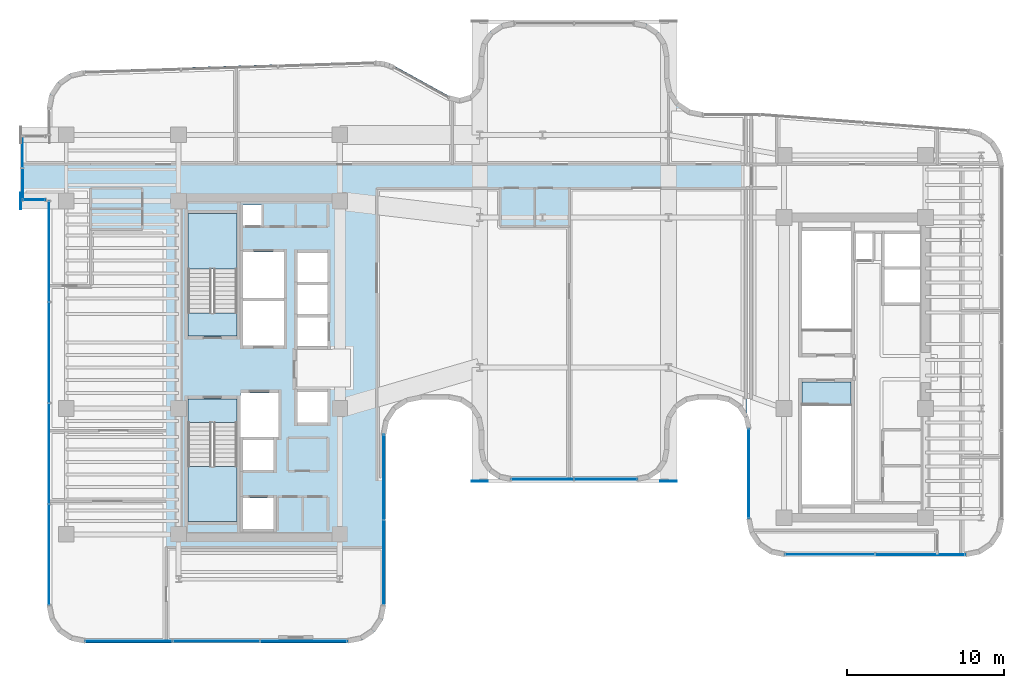
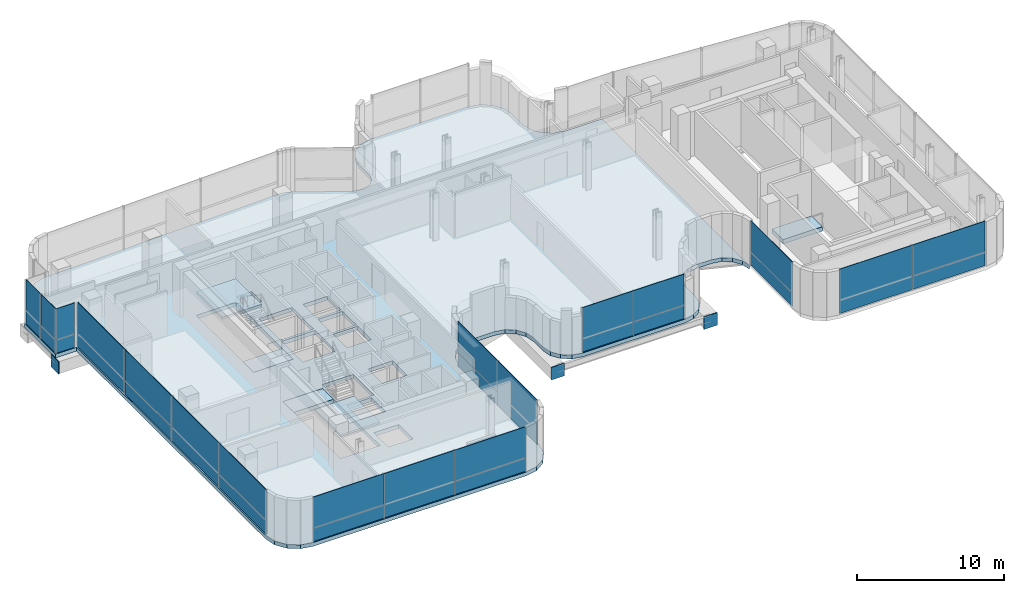
# One storey, part 25 of 35: 30 plates, 6 slabs, 10 elements without a shape of their own.
"""IFC4 building model written with IfcOpenShell, lengths in metres."""

from ifc_helpers import new_model, si_unit, direction, frame, origin, origin_2d, place, context, subcontext, project, spatial, polyline, rectangle, outline, extrude, source, transform, mapped, material, layer, layer_set, type_object, element, aggregate, save


model = new_model("IFC4")

# Units and contexts
model_context = context("Model", 3, precision=1e-05, world=origin(), true_north=direction((0.0, 1.0)))
body_context = subcontext(model_context, "Body", "Model", "MODEL_VIEW")
ifc_project = project(units=[si_unit("LENGTHUNIT", "METRE"), si_unit("AREAUNIT", "SQUARE_METRE"), si_unit("VOLUMEUNIT", "CUBIC_METRE"), si_unit("PLANEANGLEUNIT", "RADIAN"), si_unit("MASSUNIT", "GRAM", prefix="KILO")], contexts=[model_context])

# Site, building, storey
site_placement = place(None, origin())
site = spatial("IfcSite", under=ifc_project, at=site_placement, CompositionType="ELEMENT")
building_placement = place(site_placement, origin())
building = spatial("IfcBuilding", under=site, at=building_placement, Name="Valdorenza Pilgrim Sanctuary Tower", CompositionType="ELEMENT")
storey_placement = place(building_placement, frame((0.0, 0.0, 192.35009765625)))
storey = spatial("IfcBuildingStorey", under=building, at=storey_placement, Name="L49", CompositionType="ELEMENT", Elevation=192.35009765625)

# Slab
ifc_material_1 = material(Name="Concrete C40/50", Category="concrete")
ifc_layer_1 = layer(ifc_material_1, 0.320068359375, Name="Concrete C40/50")
ifc_layer_set_1 = layer_set([ifc_layer_1], Name="Concrete C40/50")
slab_type_1 = type_object("IfcSlabType", Name="SLAB-PRY-320", PredefinedType="FLOOR", material=ifc_layer_set_1)
slab_1_placement = place(storey_placement, frame((0.0, 0.0, -0.320068359375)))
element("IfcSlab", 1, at=slab_1_placement, inside=storey, type_object=slab_type_1, Name="L49 Structural Floor Slab 1", PredefinedType="FLOOR", context=body_context, shape_type="SweptSolid", body=[
    extrude(outline(polyline([(-30.324462890625, 18.14599609375), (-29.572265625, 18.671142578125), (-28.677978515625, 18.87548828125), (-10.157958984375, 19.478515625), (-9.837158203125, 19.467529296875), (-9.520751953125, 19.413818359375), (-9.214111328125, 19.318359375), (-8.923095703125, 19.182861328125), (-5.43115234375, 17.26220703125), (-4.782958984375, 17.10107421875), (-4.139892578125, 17.2822265625), (-3.671142578125, 17.75830078125), (-3.5, 18.404052734375), (-3.5, 19.7958984375), (-3.332275390625, 20.639404296875), (-2.8544921875, 21.3544921875), (-2.139404296875, 21.832275390625), (-1.2958984375, 22.0), (6.2958984375, 22.0), (7.139404296875, 21.832275390625), (7.8544921875, 21.3544921875), (8.332275390625, 20.639404296875), (8.5, 19.7958984375), (8.5, 18.404052734375), (8.667724609375, 17.560546875), (9.1455078125, 16.845458984375), (9.860595703125, 16.367919921875), (10.7041015625, 16.199951171875), (13.5, 16.199951171875), (13.5, -3.89990234375), (13.35546875, -3.1728515625), (12.943603515625, -2.556396484375), (12.3271484375, -2.14453125), (11.60009765625, -2.0), (10.39990234375, -2.0), (9.6728515625, -2.14453125), (9.056396484375, -2.556396484375), (8.64453125, -3.1728515625), (8.5, -3.89990234375), (8.5, -5.22412109375), (8.349609375, -5.980224609375), (7.921142578125, -6.62109375), (7.2802734375, -7.049560546875), (6.52392578125, -7.199951171875), (-1.52392578125, -7.199951171875), (-2.2802734375, -7.049560546875), (-2.921142578125, -6.62109375), (-3.349609375, -5.980224609375), (-3.5, -5.22412109375), (-3.5, -3.97607421875), (-3.650390625, -3.2197265625), (-4.078857421875, -2.578857421875), (-4.7197265625, -2.150390625), (-5.47607421875, -2.0), (-7.219970703125, -2.0), (-8.092529296875, -2.173583984375), (-8.832275390625, -2.667724609375), (-9.326416015625, -3.407470703125), (-9.5, -4.280029296875), (-9.5, -15.10009765625), (-9.6826171875, -16.018310546875), (-10.202880859375, -16.797119140625), (-10.981689453125, -17.3173828125), (-11.89990234375, -17.5), (-28.60009765625, -17.5), (-29.518310546875, -17.3173828125), (-30.297119140625, -16.797119140625), (-30.8173828125, -16.018310546875), (-31.0, -15.10009765625), (-31.0, 10.60009765625), (-32.64990234375, 10.60009765625), (-32.64990234375, 14.800048828125), (-31.0, 14.800048828125), (-31.0, 16.476806640625), (-30.82470703125, 17.377197265625), (-30.324462890625, 18.14599609375)]), holes=[polyline([(-16.60009765625, -10.25), (-16.60009765625, -8.300048828125), (-18.550048828125, -8.300048828125), (-18.550048828125, -10.25), (-16.60009765625, -10.25)]), polyline([(-22.050048828125, -9.800048828125), (-18.93994140625, -9.800048828125), (-18.93994140625, -3.485107421875), (-18.93994140625, -2.0), (-22.050048828125, -2.0), (-22.050048828125, -3.485107421875), (-22.050048828125, -9.800048828125)]), polyline([(-16.60009765625, -6.5), (-16.60009765625, -4.60009765625), (-18.550048828125, -4.60009765625), (-18.550048828125, -6.5), (-16.60009765625, -6.5)]), polyline([(-18.719970703125, -4.39990234375), (-16.300048828125, -4.39990234375), (-16.300048828125, -1.60009765625), (-18.719970703125, -1.60009765625), (-18.719970703125, -4.39990234375)]), polyline([(-13.179931640625, 1.35009765625), (-13.179931640625, 3.199951171875), (-15.10009765625, 3.199951171875), (-15.10009765625, 1.35009765625), (-13.179931640625, 1.35009765625)]), polyline([(-22.050048828125, 2.0), (-18.93994140625, 2.0), (-18.93994140625, 3.485107421875), (-18.93994140625, 9.800048828125), (-22.050048828125, 9.800048828125), (-22.050048828125, 3.485107421875), (-22.050048828125, 2.0)]), polyline([(-15.949951171875, 1.39990234375), (-15.949951171875, 4.22509765625), (-18.550048828125, 4.22509765625), (-18.550048828125, 1.39990234375), (-15.949951171875, 1.39990234375)]), polyline([(-18.550048828125, 4.425048828125), (-15.949951171875, 4.425048828125), (-15.949951171875, 7.35009765625), (-18.550048828125, 7.35009765625), (-18.550048828125, 4.425048828125)]), polyline([(-17.360107421875, 9.030029296875), (-17.360107421875, 10.35009765625), (-18.570068359375, 10.35009765625), (-18.570068359375, 9.030029296875), (-17.360107421875, 9.030029296875)]), polyline([(-13.179931640625, -3.5), (-13.179931640625, -1.550048828125), (-15.10009765625, -1.550048828125), (-15.10009765625, -3.5), (-13.179931640625, -3.5)]), polyline([(-13.179931640625, 3.39990234375), (-13.179931640625, 5.25), (-15.10009765625, 5.25), (-15.10009765625, 3.39990234375), (-13.179931640625, 3.39990234375)]), polyline([(-13.179931640625, 5.449951171875), (-13.179931640625, 7.300048828125), (-15.10009765625, 7.300048828125), (-15.10009765625, 5.449951171875), (-13.179931640625, 5.449951171875)])]), origin(), (0.0, 0.0, 1.0), 0.320068359375),
])

# Stair, slab
stair_type = type_object("IfcStairType", Name="STR-DOG-CORE", PredefinedType="HALF_TURN_STAIR", material=ifc_material_1)
stair_1_placement = place(storey_placement, origin())
stair_1 = element("IfcStair", 2, at=stair_1_placement, inside=storey, type_object=stair_type, Name="L49 ST-A1", PredefinedType="HALF_TURN_STAIR")
ifc_layer_2 = layer(ifc_material_1, 0.199951171875, Name="Concrete C40/50")
ifc_layer_set_2 = layer_set([ifc_layer_2], Name="Concrete C40/50")
slab_type_2 = type_object("IfcSlabType", Name="SLAB-STL-200", PredefinedType="LANDING", material=ifc_layer_set_2)
slab_2_placement = place(storey_placement, frame((0.0, 0.0, 1.77490234375)))
slab_2 = element("IfcSlab", 3, at=slab_2_placement, type_object=slab_type_2, Name="ST-A1 landing 1", PredefinedType="LANDING", context=body_context, shape_type="SweptSolid", body=[
    extrude(outline(polyline([(-18.93994140625, 6.280029296875), (-18.93994140625, 9.800048828125), (-22.050048828125, 9.800048828125), (-22.050048828125, 6.280029296875), (-18.93994140625, 6.280029296875)])), origin(), (0.0, 0.0, 1.0), 0.199951171875),
])
aggregate(stair_1, [slab_2])

stair_2_placement = place(storey_placement, origin())
stair_2 = element("IfcStair", 4, at=stair_2_placement, inside=storey, type_object=stair_type, Name="L49 ST-A2", PredefinedType="HALF_TURN_STAIR")
slab_3_placement = place(storey_placement, frame((0.0, 0.0, 1.77490234375)))
slab_3 = element("IfcSlab", 5, at=slab_3_placement, type_object=slab_type_2, Name="ST-A2 landing 1", PredefinedType="LANDING", context=body_context, shape_type="SweptSolid", body=[
    extrude(outline(polyline([(-22.050048828125, -6.280029296875), (-22.050048828125, -9.800048828125), (-18.93994140625, -9.800048828125), (-18.93994140625, -6.280029296875), (-22.050048828125, -6.280029296875)])), origin(), (0.0, 0.0, 1.0), 0.199951171875),
])
aggregate(stair_2, [slab_3])

# Slabs
ifc_material_2 = material(Name="Concrete C50/60", Category="concrete")
ifc_layer_3 = layer(ifc_material_2, 0.39990234375, Name="Concrete C50/60")
ifc_layer_set_3 = layer_set([ifc_layer_3], Name="Concrete C50/60")
slab_type_3 = type_object("IfcSlabType", Name="SLAB-TRF-400", PredefinedType="FLOOR", material=ifc_layer_set_3)
slab_4_placement = place(storey_placement, frame((0.0, 0.0, -0.360107421875)))
element("IfcSlab", 6, at=slab_4_placement, inside=storey, type_object=slab_type_3, Name="L49 ST-A1 Structural Stair Landing Bearing Slab", PredefinedType="FLOOR", context=body_context, shape_type="SweptSolid", body=[
    extrude(outline(polyline([(-22.050048828125, 2.0), (-18.93994140625, 2.0), (-18.93994140625, 3.485107421875), (-22.050048828125, 3.485107421875), (-22.050048828125, 2.0)])), origin(), (0.0, 0.0, 1.0), 0.360107421875),
])
slab_5_placement = place(storey_placement, frame((0.0, 0.0, -0.360107421875)))
element("IfcSlab", 7, at=slab_5_placement, inside=storey, type_object=slab_type_3, Name="L49 ST-A2 Structural Stair Landing Bearing Slab", PredefinedType="FLOOR", context=body_context, shape_type="SweptSolid", body=[
    extrude(outline(polyline([(-22.050048828125, -3.485107421875), (-18.93994140625, -3.485107421875), (-18.93994140625, -2.0), (-22.050048828125, -2.0), (-22.050048828125, -3.485107421875)])), origin(), (0.0, 0.0, 1.0), 0.360107421875),
])
slab_6_placement = place(storey_placement, frame((0.0, 0.0, -0.360107421875)))
element("IfcSlab", 8, at=slab_6_placement, inside=storey, type_object=slab_type_3, Name="L49 ST-B2 Structural Stair Landing Bearing Slab", PredefinedType="FLOOR", context=body_context, shape_type="SweptSolid", body=[
    extrude(outline(polyline([(17.0, -2.385009765625), (20.110107421875, -2.385009765625), (20.110107421875, -0.89990234375), (17.0, -0.89990234375), (17.0, -2.385009765625)])), origin(), (0.0, 0.0, 1.0), 0.360107421875),
])

# Plates
ifc_material_3 = material(Name="Steel ASTM A572 Grade 42", Category="steel")
ifc_layer_4 = layer(ifc_material_3, 0.06005859375, Name="Steel ASTM A572 Grade 42")
ifc_layer_set_4 = layer_set([ifc_layer_4], Name="Steel ASTM A572 Grade 42")
plate_type_1 = type_object("IfcPlateType", Name="PLT-CAP-60", PredefinedType="SHEET", material=ifc_layer_set_4)
shared_shape_1 = source(origin(), body_context, "Body", "SweptSolid", [
    extrude(rectangle(XDim=0.06005859375, YDim=1.0400390625, at=origin_2d()), origin(), (0.0, 0.0, 1.0), 1.0400390625),
])
plate_1_placement = place(storey_placement, frame((-32.679931640625, 10.60009765625, -1.340087890625), z_axis=(0.0, 0.0, 1.0), x_axis=(1.0, 0.0, 0.0)))
element("IfcPlate", 9, at=plate_1_placement, inside=storey, type_object=plate_type_1, Name="L49 BOX-WA-L49 Cantilever Tip End Cap S", PredefinedType="SHEET", context=body_context, shape_type="MappedRepresentation", body=[
    mapped(shared_shape_1, transform((0.0, 0.0, 0.0), x_axis=(1.0, 0.0, 0.0), y_axis=(0.0, 1.0, 0.0), z_axis=(0.0, 0.0, 1.0), scale=1.0)),
])
shared_shape_2 = source(origin(), body_context, "Body", "SweptSolid", [
    extrude(rectangle(XDim=1.0400390625, YDim=0.06005859375, at=origin_2d()), origin(), (0.0, 0.0, 1.0), 1.0400390625),
])
for number, where, z_axis, x_axis, name in (
    (10, (-3.5, -7.22998046875, -1.340087890625), (0.0, 0.0, 1.0), (1.0, 0.0, 0.0), "L49 South Prow Cantilever End Cap W"),
    (11, (8.5, -7.22998046875, -1.340087890625), (0.0, 0.0, 1.0), (1.0, 0.0, 0.0), "L49 South Prow Cantilever End Cap E"),
):
    element("IfcPlate", number, at=place(storey_placement, frame(where, z_axis=z_axis, x_axis=x_axis)), inside=storey, type_object=plate_type_1, Name=name, PredefinedType="SHEET", context=body_context, shape_type="MappedRepresentation", body=[
        mapped(shared_shape_2, transform((0.0, 0.0, 0.0), x_axis=(1.0, 0.0, 0.0), y_axis=(0.0, 1.0, 0.0), z_axis=(0.0, 0.0, 1.0), scale=1.0)),
    ])

# Curtain wall, plate
ifc_material_4 = material(Name="Curtain-wall IGU glazing", Category="glass")
curtain_wall_type_1 = type_object("IfcCurtainWallType", Name="CW-SYS-05", PredefinedType="NOTDEFINED", material=ifc_material_4)
curtain_wall_1_placement = place(storey_placement, origin())
curtain_wall_1 = element("IfcCurtainWall", 12, at=curtain_wall_1_placement, inside=storey, type_object=curtain_wall_type_1, Name="L49 Curtain Wall CW-L49-1-47", PredefinedType="NOTDEFINED")
ifc_material_5 = material(Name="Honed travertine limestone", Category="masonry")
ifc_layer_5 = layer(ifc_material_5, 0.050048828125, Name="Honed travertine limestone")
ifc_layer_set_5 = layer_set([ifc_layer_5], Name="Honed travertine limestone")
plate_type_2 = type_object("IfcPlateType", Name="CW-SPN-TRV", PredefinedType="USERDEFINED", material=ifc_layer_set_5)
shared_shape_3 = source(origin(), body_context, "Body", "SweptSolid", [
    extrude(rectangle(XDim=5.679931640625, YDim=0.06005859375, at=origin_2d()), origin(), (0.0, 0.0, 1.0), 1.10009765625),
])
plate_2_placement = place(storey_placement, frame((13.610107421875, -6.7392578125, 0.009765625), z_axis=(0.0, 0.0, 1.0), x_axis=(0.0, 1.0, 0.0)))
plate_2 = element("IfcPlate", 13, at=plate_2_placement, type_object=plate_type_2, Name="CW-L49-1-47 Travertine Spandrel 1", ObjectType="SPANDREL", PredefinedType="USERDEFINED", context=body_context, shape_type="MappedRepresentation", body=[
    mapped(shared_shape_3, transform((0.0, 0.0, 0.0), x_axis=(1.0, 0.0, 0.0), y_axis=(0.0, 1.0, 0.0), z_axis=(0.0, 0.0, 1.0), scale=1.0)),
])

curtain_wall_type_2 = type_object("IfcCurtainWallType", Name="CW-SYS-02", PredefinedType="NOTDEFINED", material=ifc_material_4)
curtain_wall_2_placement = place(storey_placement, origin())
curtain_wall_2 = element("IfcCurtainWall", 14, at=curtain_wall_2_placement, inside=storey, type_object=curtain_wall_type_2, Name="L49 Curtain Wall CW-L49-BOX-WA-L49-S", PredefinedType="NOTDEFINED")
shared_shape_4 = source(origin(), body_context, "Body", "SweptSolid", [
    extrude(rectangle(XDim=1.43994140625, YDim=0.06005859375, at=origin_2d()), origin(), (0.0, 0.0, 1.0), 1.10009765625),
])
plate_3_placement = place(storey_placement, frame((-31.840087890625, 10.679931640625, 0.009765625), z_axis=(0.0, 0.0, 1.0), x_axis=(-1.0, 0.0, 0.0)))
plate_3 = element("IfcPlate", 15, at=plate_3_placement, type_object=plate_type_2, Name="CW-L49-BOX-WA-L49-S Travertine Spandrel 1", ObjectType="SPANDREL", PredefinedType="USERDEFINED", context=body_context, shape_type="MappedRepresentation", body=[
    mapped(shared_shape_4, transform((0.0, 0.0, 0.0), x_axis=(1.0, 0.0, 0.0), y_axis=(0.0, 1.0, 0.0), z_axis=(0.0, 0.0, 1.0), scale=1.0)),
])

curtain_wall_3_placement = place(storey_placement, origin())
curtain_wall_3 = element("IfcCurtainWall", 16, at=curtain_wall_3_placement, inside=storey, type_object=curtain_wall_type_2, Name="L49 Curtain Wall CW-L49-BOX-WA-L49-F", PredefinedType="NOTDEFINED")
shared_shape_5 = source(origin(), body_context, "Body", "SweptSolid", [
    extrude(rectangle(XDim=2.0, YDim=0.06005859375, at=origin_2d()), origin(), (0.0, 0.0, 1.0), 1.10009765625),
])
plate_4_placement = place(storey_placement, frame((-32.570068359375, 11.68994140625, 0.009765625), z_axis=(0.0, 0.0, 1.0), x_axis=(0.0, 1.0, 0.0)))
plate_4 = element("IfcPlate", 17, at=plate_4_placement, type_object=plate_type_2, Name="CW-L49-BOX-WA-L49-F Travertine Spandrel 1", ObjectType="SPANDREL", PredefinedType="USERDEFINED", context=body_context, shape_type="MappedRepresentation", body=[
    mapped(shared_shape_5, transform((0.0, 0.0, 0.0), x_axis=(1.0, 0.0, 0.0), y_axis=(0.0, 1.0, 0.0), z_axis=(0.0, 0.0, 1.0), scale=1.0)),
])

curtain_wall_type_3 = type_object("IfcCurtainWallType", Name="CW-SYS-03", PredefinedType="NOTDEFINED", material=ifc_material_4)
curtain_wall_4_placement = place(storey_placement, origin())
curtain_wall_4 = element("IfcCurtainWall", 18, at=curtain_wall_4_placement, inside=storey, type_object=curtain_wall_type_3, Name="L49 Curtain Wall CW-L49-1-42", PredefinedType="NOTDEFINED")
shared_shape_6 = source(origin(), body_context, "Body", "SweptSolid", [
    extrude(rectangle(XDim=5.71923828125, YDim=0.06005859375, at=origin_2d()), origin(), (0.0, 0.0, 1.0), 1.10009765625),
])
plate_5_placement = place(storey_placement, frame((24.51953125, -11.889892578125, 0.009765625), z_axis=(0.0, 0.0, 1.0), x_axis=(-1.0, 0.0, 0.0)))
plate_5 = element("IfcPlate", 19, at=plate_5_placement, type_object=plate_type_2, Name="CW-L49-1-42 Travertine Spandrel 1", ObjectType="SPANDREL", PredefinedType="USERDEFINED", context=body_context, shape_type="MappedRepresentation", body=[
    mapped(shared_shape_6, transform((0.0, 0.0, 0.0), x_axis=(1.0, 0.0, 0.0), y_axis=(0.0, 1.0, 0.0), z_axis=(0.0, 0.0, 1.0), scale=1.0)),
])

curtain_wall_5_placement = place(storey_placement, origin())
curtain_wall_5 = element("IfcCurtainWall", 20, at=curtain_wall_5_placement, inside=storey, type_object=curtain_wall_type_1, Name="L49 Curtain Wall CW-L49-1-62", PredefinedType="NOTDEFINED")
shared_shape_7 = source(origin(), body_context, "Body", "SweptSolid", [
    extrude(rectangle(XDim=3.9931640625, YDim=0.06005859375, at=origin_2d()), origin(), (0.0, 0.0, 1.0), 1.10009765625),
])
plate_6_placement = place(storey_placement, frame((4.506591796875, -7.090087890625, 0.009765625), z_axis=(0.0, 0.0, 1.0), x_axis=(-1.0, 0.0, 0.0)))
plate_6 = element("IfcPlate", 21, at=plate_6_placement, type_object=plate_type_2, Name="CW-L49-1-62 Travertine Spandrel 1", ObjectType="SPANDREL", PredefinedType="USERDEFINED", context=body_context, shape_type="MappedRepresentation", body=[
    mapped(shared_shape_7, transform((0.0, 0.0, 0.0), x_axis=(1.0, 0.0, 0.0), y_axis=(0.0, 1.0, 0.0), z_axis=(0.0, 0.0, 1.0), scale=1.0)),
])

curtain_wall_6_placement = place(storey_placement, origin())
curtain_wall_6 = element("IfcCurtainWall", 22, at=curtain_wall_6_placement, inside=storey, type_object=curtain_wall_type_1, Name="L49 Curtain Wall CW-L49-1-77", PredefinedType="NOTDEFINED")
shared_shape_8 = source(origin(), body_context, "Body", "SweptSolid", [
    extrude(rectangle(XDim=5.389892578125, YDim=0.06005859375, at=origin_2d()), origin(), (0.0, 0.0, 1.0), 1.10009765625),
])
plate_7_placement = place(storey_placement, frame((-9.610107421875, -6.97412109375, 0.009765625), z_axis=(0.0, 0.0, 1.0), x_axis=(0.0, -1.0, 0.0)))
plate_7 = element("IfcPlate", 23, at=plate_7_placement, type_object=plate_type_2, Name="CW-L49-1-77 Travertine Spandrel 1", ObjectType="SPANDREL", PredefinedType="USERDEFINED", context=body_context, shape_type="MappedRepresentation", body=[
    mapped(shared_shape_8, transform((0.0, 0.0, 0.0), x_axis=(1.0, 0.0, 0.0), y_axis=(0.0, 1.0, 0.0), z_axis=(0.0, 0.0, 1.0), scale=1.0)),
])

# Curtain wall, plates
curtain_wall_7_placement = place(storey_placement, origin())
curtain_wall_7 = element("IfcCurtainWall", 24, at=curtain_wall_7_placement, inside=storey, type_object=curtain_wall_type_2, Name="L49 Curtain Wall CW-L49-1-82", PredefinedType="NOTDEFINED")
shared_shape_9 = source(origin(), body_context, "Body", "SweptSolid", [
    extrude(rectangle(XDim=5.53955078125, YDim=0.06005859375, at=origin_2d()), origin(), (0.0, 0.0, 1.0), 1.10009765625),
])
plate_8_placement = place(storey_placement, frame((-14.6904296875, -17.389892578125, 0.009765625), z_axis=(0.0, 0.0, 1.0), x_axis=(-1.0, 0.0, 0.0)))
plate_8 = element("IfcPlate", 25, at=plate_8_placement, type_object=plate_type_2, Name="CW-L49-1-82 Travertine Spandrel 1", ObjectType="SPANDREL", PredefinedType="USERDEFINED", context=body_context, shape_type="MappedRepresentation", body=[
    mapped(shared_shape_9, transform((0.0, 0.0, 0.0), x_axis=(1.0, 0.0, 0.0), y_axis=(0.0, 1.0, 0.0), z_axis=(0.0, 0.0, 1.0), scale=1.0)),
])
plate_9_placement = place(storey_placement, frame((-25.8095703125, -17.389892578125, 0.009765625), z_axis=(0.0, 0.0, 1.0), x_axis=(-1.0, 0.0, 0.0)))
plate_9 = element("IfcPlate", 26, at=plate_9_placement, type_object=plate_type_2, Name="CW-L49-1-82 Travertine Spandrel 3", ObjectType="SPANDREL", PredefinedType="USERDEFINED", context=body_context, shape_type="MappedRepresentation", body=[
    mapped(shared_shape_9, transform((0.0, 0.0, 0.0), x_axis=(1.0, 0.0, 0.0), y_axis=(0.0, 1.0, 0.0), z_axis=(0.0, 0.0, 1.0), scale=1.0)),
])

curtain_wall_8_placement = place(storey_placement, origin())
curtain_wall_8 = element("IfcCurtainWall", 27, at=curtain_wall_8_placement, inside=storey, type_object=curtain_wall_type_2, Name="L49 Curtain Wall CW-L49-1-1S1", PredefinedType="NOTDEFINED")
shared_shape_10 = source(origin(), body_context, "Body", "SweptSolid", [
    extrude(rectangle(XDim=6.40234375, YDim=0.06005859375, at=origin_2d()), origin(), (0.0, 0.0, 1.0), 1.10009765625),
])
plate_10_placement = place(storey_placement, frame((-30.889892578125, -11.8779296875, 0.009765625), z_axis=(0.0, 0.0, 1.0), x_axis=(0.0, 1.0, 0.0)))
plate_10 = element("IfcPlate", 28, at=plate_10_placement, type_object=plate_type_2, Name="CW-L49-1-1S1 Travertine Spandrel 1", ObjectType="SPANDREL", PredefinedType="USERDEFINED", context=body_context, shape_type="MappedRepresentation", body=[
    mapped(shared_shape_10, transform((0.0, 0.0, 0.0), x_axis=(1.0, 0.0, 0.0), y_axis=(0.0, 1.0, 0.0), z_axis=(0.0, 0.0, 1.0), scale=1.0)),
])
plate_11_placement = place(storey_placement, frame((-30.889892578125, 0.966552734375, 0.009765625), z_axis=(0.0, 0.0, 1.0), x_axis=(0.0, 1.0, 0.0)))
plate_11 = element("IfcPlate", 29, at=plate_11_placement, type_object=plate_type_2, Name="CW-L49-1-1S1 Travertine Spandrel 3", ObjectType="SPANDREL", PredefinedType="USERDEFINED", context=body_context, shape_type="MappedRepresentation", body=[
    mapped(shared_shape_10, transform((0.0, 0.0, 0.0), x_axis=(1.0, 0.0, 0.0), y_axis=(0.0, 1.0, 0.0), z_axis=(0.0, 0.0, 1.0), scale=1.0)),
])
ifc_material_6 = material(Name="Ceramic-fritted low-E IGU glazing", Category="glass")
ifc_layer_6 = layer(ifc_material_6, 0.035888671875, Name="Ceramic-fritted low-E IGU glazing")
ifc_layer_set_6 = layer_set([ifc_layer_6], Name="Ceramic-fritted low-E IGU glazing")
plate_type_3 = type_object("IfcPlateType", Name="CW-GLZ-IGU", PredefinedType="USERDEFINED", material=ifc_layer_set_6)
shared_shape_11 = source(origin(), body_context, "Body", "SweptSolid", [
    extrude(rectangle(XDim=6.40234375, YDim=0.050048828125, at=origin_2d()), origin(), (0.0, 0.0, 1.0), 2.570068359375),
])
plate_12_placement = place(storey_placement, frame((-30.889892578125, -11.8779296875, 1.1298828125), z_axis=(0.0, 0.0, 1.0), x_axis=(0.0, 1.0, 0.0)))
plate_12 = element("IfcPlate", 30, at=plate_12_placement, type_object=plate_type_3, Name="CW-L49-1-1S1 Facade Panel 1", ObjectType="GLAZING", PredefinedType="USERDEFINED", context=body_context, shape_type="MappedRepresentation", body=[
    mapped(shared_shape_11, transform((0.0, 0.0, 0.0), x_axis=(1.0, 0.0, 0.0), y_axis=(0.0, 1.0, 0.0), z_axis=(0.0, 0.0, 1.0), scale=1.0)),
])
plate_13_placement = place(storey_placement, frame((-30.889892578125, 0.966552734375, 1.1298828125), z_axis=(0.0, 0.0, 1.0), x_axis=(0.0, 1.0, 0.0)))
plate_13 = element("IfcPlate", 31, at=plate_13_placement, type_object=plate_type_3, Name="CW-L49-1-1S1 Facade Panel 3", ObjectType="GLAZING", PredefinedType="USERDEFINED", context=body_context, shape_type="MappedRepresentation", body=[
    mapped(shared_shape_11, transform((0.0, 0.0, 0.0), x_axis=(1.0, 0.0, 0.0), y_axis=(0.0, 1.0, 0.0), z_axis=(0.0, 0.0, 1.0), scale=1.0)),
])
shared_shape_12 = source(origin(), body_context, "Body", "SweptSolid", [
    extrude(rectangle(XDim=6.40234375, YDim=0.050048828125, at=origin_2d()), origin(), (0.0, 0.0, 1.0), 3.68994140625),
])
plate_14_placement = place(storey_placement, frame((-30.889892578125, -5.455810546875, 0.010009765625), z_axis=(0.0, 0.0, 1.0), x_axis=(0.0, 1.0, 0.0)))
plate_14 = element("IfcPlate", 32, at=plate_14_placement, type_object=plate_type_3, Name="CW-L49-1-1S1 Full-Height Facade Panel 2", ObjectType="GLAZING", PredefinedType="USERDEFINED", context=body_context, shape_type="MappedRepresentation", body=[
    mapped(shared_shape_12, transform((0.0, 0.0, 0.0), x_axis=(1.0, 0.0, 0.0), y_axis=(0.0, 1.0, 0.0), z_axis=(0.0, 0.0, 1.0), scale=1.0)),
])
plate_15_placement = place(storey_placement, frame((-30.889892578125, 7.388916015625, 0.010009765625), z_axis=(0.0, 0.0, 1.0), x_axis=(0.0, 1.0, 0.0)))
plate_15 = element("IfcPlate", 33, at=plate_15_placement, type_object=plate_type_3, Name="CW-L49-1-1S1 Full-Height Facade Panel 4", ObjectType="GLAZING", PredefinedType="USERDEFINED", context=body_context, shape_type="MappedRepresentation", body=[
    mapped(shared_shape_12, transform((0.0, 0.0, 0.0), x_axis=(1.0, 0.0, 0.0), y_axis=(0.0, 1.0, 0.0), z_axis=(0.0, 0.0, 1.0), scale=1.0)),
])
aggregate(curtain_wall_8, [plate_10, plate_12, plate_14, plate_11, plate_13, plate_15])

# Plate
shared_shape_13 = source(origin(), body_context, "Body", "SweptSolid", [
    extrude(rectangle(XDim=5.71923828125, YDim=0.050048828125, at=origin_2d()), origin(), (0.0, 0.0, 1.0), 2.570068359375),
])
plate_16_placement = place(storey_placement, frame((24.51953125, -11.889892578125, 1.1298828125), z_axis=(0.0, 0.0, 1.0), x_axis=(-1.0, 0.0, 0.0)))
plate_16 = element("IfcPlate", 34, at=plate_16_placement, type_object=plate_type_3, Name="CW-L49-1-42 Facade Panel 1", ObjectType="GLAZING", PredefinedType="USERDEFINED", context=body_context, shape_type="MappedRepresentation", body=[
    mapped(shared_shape_13, transform((0.0, 0.0, 0.0), x_axis=(1.0, 0.0, 0.0), y_axis=(0.0, 1.0, 0.0), z_axis=(0.0, 0.0, 1.0), scale=1.0)),
])

shared_shape_14 = source(origin(), body_context, "Body", "SweptSolid", [
    extrude(rectangle(XDim=5.71923828125, YDim=0.050048828125, at=origin_2d()), origin(), (0.0, 0.0, 1.0), 3.68994140625),
])
plate_17_placement = place(storey_placement, frame((18.780517578125, -11.889892578125, 0.010009765625), z_axis=(0.0, 0.0, 1.0), x_axis=(-1.0, 0.0, 0.0)))
plate_17 = element("IfcPlate", 35, at=plate_17_placement, type_object=plate_type_3, Name="CW-L49-1-42 Full-Height Facade Panel 2", ObjectType="GLAZING", PredefinedType="USERDEFINED", context=body_context, shape_type="MappedRepresentation", body=[
    mapped(shared_shape_14, transform((0.0, 0.0, 0.0), x_axis=(1.0, 0.0, 0.0), y_axis=(0.0, 1.0, 0.0), z_axis=(0.0, 0.0, 1.0), scale=1.0)),
])

aggregate(curtain_wall_4, [plate_5, plate_16, plate_17])

shared_shape_15 = source(origin(), body_context, "Body", "SweptSolid", [
    extrude(rectangle(XDim=5.679931640625, YDim=0.050048828125, at=origin_2d()), origin(), (0.0, 0.0, 1.0), 2.570068359375),
])
plate_18_placement = place(storey_placement, frame((13.610107421875, -6.7392578125, 1.1298828125), z_axis=(0.0, 0.0, 1.0), x_axis=(0.0, 1.0, 0.0)))
plate_18 = element("IfcPlate", 36, at=plate_18_placement, type_object=plate_type_3, Name="CW-L49-1-47 Facade Panel 1", ObjectType="GLAZING", PredefinedType="USERDEFINED", context=body_context, shape_type="MappedRepresentation", body=[
    mapped(shared_shape_15, transform((0.0, 0.0, 0.0), x_axis=(1.0, 0.0, 0.0), y_axis=(0.0, 1.0, 0.0), z_axis=(0.0, 0.0, 1.0), scale=1.0)),
])

aggregate(curtain_wall_1, [plate_2, plate_18])

shared_shape_16 = source(origin(), body_context, "Body", "SweptSolid", [
    extrude(rectangle(XDim=3.9931640625, YDim=0.050048828125, at=origin_2d()), origin(), (0.0, 0.0, 1.0), 2.570068359375),
])
plate_19_placement = place(storey_placement, frame((4.506591796875, -7.090087890625, 1.1298828125), z_axis=(0.0, 0.0, 1.0), x_axis=(-1.0, 0.0, 0.0)))
plate_19 = element("IfcPlate", 37, at=plate_19_placement, type_object=plate_type_3, Name="CW-L49-1-62 Facade Panel 1", ObjectType="GLAZING", PredefinedType="USERDEFINED", context=body_context, shape_type="MappedRepresentation", body=[
    mapped(shared_shape_16, transform((0.0, 0.0, 0.0), x_axis=(1.0, 0.0, 0.0), y_axis=(0.0, 1.0, 0.0), z_axis=(0.0, 0.0, 1.0), scale=1.0)),
])

shared_shape_17 = source(origin(), body_context, "Body", "SweptSolid", [
    extrude(rectangle(XDim=3.9931640625, YDim=0.050048828125, at=origin_2d()), origin(), (0.0, 0.0, 1.0), 3.68994140625),
])
plate_20_placement = place(storey_placement, frame((0.493408203125, -7.090087890625, 0.010009765625), z_axis=(0.0, 0.0, 1.0), x_axis=(-1.0, 0.0, 0.0)))
plate_20 = element("IfcPlate", 38, at=plate_20_placement, type_object=plate_type_3, Name="CW-L49-1-62 Full-Height Facade Panel 2", ObjectType="GLAZING", PredefinedType="USERDEFINED", context=body_context, shape_type="MappedRepresentation", body=[
    mapped(shared_shape_17, transform((0.0, 0.0, 0.0), x_axis=(1.0, 0.0, 0.0), y_axis=(0.0, 1.0, 0.0), z_axis=(0.0, 0.0, 1.0), scale=1.0)),
])

aggregate(curtain_wall_5, [plate_6, plate_19, plate_20])

shared_shape_18 = source(origin(), body_context, "Body", "SweptSolid", [
    extrude(rectangle(XDim=5.389892578125, YDim=0.050048828125, at=origin_2d()), origin(), (0.0, 0.0, 1.0), 2.570068359375),
])
plate_21_placement = place(storey_placement, frame((-9.610107421875, -6.97412109375, 1.1298828125), z_axis=(0.0, 0.0, 1.0), x_axis=(0.0, -1.0, 0.0)))
plate_21 = element("IfcPlate", 39, at=plate_21_placement, type_object=plate_type_3, Name="CW-L49-1-77 Facade Panel 1", ObjectType="GLAZING", PredefinedType="USERDEFINED", context=body_context, shape_type="MappedRepresentation", body=[
    mapped(shared_shape_18, transform((0.0, 0.0, 0.0), x_axis=(1.0, 0.0, 0.0), y_axis=(0.0, 1.0, 0.0), z_axis=(0.0, 0.0, 1.0), scale=1.0)),
])

shared_shape_19 = source(origin(), body_context, "Body", "SweptSolid", [
    extrude(rectangle(XDim=5.389892578125, YDim=0.050048828125, at=origin_2d()), origin(), (0.0, 0.0, 1.0), 3.68994140625),
])
plate_22_placement = place(storey_placement, frame((-9.610107421875, -12.38427734375, 0.010009765625), z_axis=(0.0, 0.0, 1.0), x_axis=(0.0, -1.0, 0.0)))
plate_22 = element("IfcPlate", 40, at=plate_22_placement, type_object=plate_type_3, Name="CW-L49-1-77 Full-Height Facade Panel 2", ObjectType="GLAZING", PredefinedType="USERDEFINED", context=body_context, shape_type="MappedRepresentation", body=[
    mapped(shared_shape_19, transform((0.0, 0.0, 0.0), x_axis=(1.0, 0.0, 0.0), y_axis=(0.0, 1.0, 0.0), z_axis=(0.0, 0.0, 1.0), scale=1.0)),
])

aggregate(curtain_wall_6, [plate_7, plate_21, plate_22])

shared_shape_20 = source(origin(), body_context, "Body", "SweptSolid", [
    extrude(rectangle(XDim=5.53955078125, YDim=0.050048828125, at=origin_2d()), origin(), (0.0, 0.0, 1.0), 2.570068359375),
])
plate_23_placement = place(storey_placement, frame((-14.6904296875, -17.389892578125, 1.1298828125), z_axis=(0.0, 0.0, 1.0), x_axis=(-1.0, 0.0, 0.0)))
plate_23 = element("IfcPlate", 41, at=plate_23_placement, type_object=plate_type_3, Name="CW-L49-1-82 Facade Panel 1", ObjectType="GLAZING", PredefinedType="USERDEFINED", context=body_context, shape_type="MappedRepresentation", body=[
    mapped(shared_shape_20, transform((0.0, 0.0, 0.0), x_axis=(1.0, 0.0, 0.0), y_axis=(0.0, 1.0, 0.0), z_axis=(0.0, 0.0, 1.0), scale=1.0)),
])

plate_24_placement = place(storey_placement, frame((-25.8095703125, -17.389892578125, 1.1298828125), z_axis=(0.0, 0.0, 1.0), x_axis=(-1.0, 0.0, 0.0)))
plate_24 = element("IfcPlate", 42, at=plate_24_placement, type_object=plate_type_3, Name="CW-L49-1-82 Facade Panel 3", ObjectType="GLAZING", PredefinedType="USERDEFINED", context=body_context, shape_type="MappedRepresentation", body=[
    mapped(shared_shape_20, transform((0.0, 0.0, 0.0), x_axis=(1.0, 0.0, 0.0), y_axis=(0.0, 1.0, 0.0), z_axis=(0.0, 0.0, 1.0), scale=1.0)),
])

shared_shape_21 = source(origin(), body_context, "Body", "SweptSolid", [
    extrude(rectangle(XDim=5.53955078125, YDim=0.050048828125, at=origin_2d()), origin(), (0.0, 0.0, 1.0), 3.68994140625),
])
plate_25_placement = place(storey_placement, frame((-20.25, -17.389892578125, 0.010009765625), z_axis=(0.0, 0.0, 1.0), x_axis=(-1.0, 0.0, 0.0)))
plate_25 = element("IfcPlate", 43, at=plate_25_placement, type_object=plate_type_3, Name="CW-L49-1-82 Full-Height Facade Panel 2", ObjectType="GLAZING", PredefinedType="USERDEFINED", context=body_context, shape_type="MappedRepresentation", body=[
    mapped(shared_shape_21, transform((0.0, 0.0, 0.0), x_axis=(1.0, 0.0, 0.0), y_axis=(0.0, 1.0, 0.0), z_axis=(0.0, 0.0, 1.0), scale=1.0)),
])

aggregate(curtain_wall_7, [plate_8, plate_23, plate_25, plate_9, plate_24])

shared_shape_22 = source(origin(), body_context, "Body", "SweptSolid", [
    extrude(rectangle(XDim=1.43994140625, YDim=0.050048828125, at=origin_2d()), origin(), (0.0, 0.0, 1.0), 2.570068359375),
])
plate_26_placement = place(storey_placement, frame((-31.840087890625, 10.679931640625, 1.1298828125), z_axis=(0.0, 0.0, 1.0), x_axis=(-1.0, 0.0, 0.0)))
plate_26 = element("IfcPlate", 44, at=plate_26_placement, type_object=plate_type_3, Name="CW-L49-BOX-WA-L49-S Facade Panel 1", ObjectType="GLAZING", PredefinedType="USERDEFINED", context=body_context, shape_type="MappedRepresentation", body=[
    mapped(shared_shape_22, transform((0.0, 0.0, 0.0), x_axis=(1.0, 0.0, 0.0), y_axis=(0.0, 1.0, 0.0), z_axis=(0.0, 0.0, 1.0), scale=1.0)),
])

aggregate(curtain_wall_2, [plate_3, plate_26])

shared_shape_23 = source(origin(), body_context, "Body", "SweptSolid", [
    extrude(rectangle(XDim=2.0, YDim=0.050048828125, at=origin_2d()), origin(), (0.0, 0.0, 1.0), 2.570068359375),
])
plate_27_placement = place(storey_placement, frame((-32.570068359375, 11.68994140625, 1.1298828125), z_axis=(0.0, 0.0, 1.0), x_axis=(0.0, 1.0, 0.0)))
plate_27 = element("IfcPlate", 45, at=plate_27_placement, type_object=plate_type_3, Name="CW-L49-BOX-WA-L49-F Facade Panel 1", ObjectType="GLAZING", PredefinedType="USERDEFINED", context=body_context, shape_type="MappedRepresentation", body=[
    mapped(shared_shape_23, transform((0.0, 0.0, 0.0), x_axis=(1.0, 0.0, 0.0), y_axis=(0.0, 1.0, 0.0), z_axis=(0.0, 0.0, 1.0), scale=1.0)),
])

shared_shape_24 = source(origin(), body_context, "Body", "SweptSolid", [
    extrude(rectangle(XDim=2.0, YDim=0.050048828125, at=origin_2d()), origin(), (0.0, 0.0, 1.0), 3.68994140625),
])
plate_28_placement = place(storey_placement, frame((-32.570068359375, 13.7099609375, 0.010009765625), z_axis=(0.0, 0.0, 1.0), x_axis=(0.0, 1.0, 0.0)))
plate_28 = element("IfcPlate", 46, at=plate_28_placement, type_object=plate_type_3, Name="CW-L49-BOX-WA-L49-F Full-Height Facade Panel 2", ObjectType="GLAZING", PredefinedType="USERDEFINED", context=body_context, shape_type="MappedRepresentation", body=[
    mapped(shared_shape_24, transform((0.0, 0.0, 0.0), x_axis=(1.0, 0.0, 0.0), y_axis=(0.0, 1.0, 0.0), z_axis=(0.0, 0.0, 1.0), scale=1.0)),
])

aggregate(curtain_wall_3, [plate_4, plate_27, plate_28])

save(model, "model.ifc")
